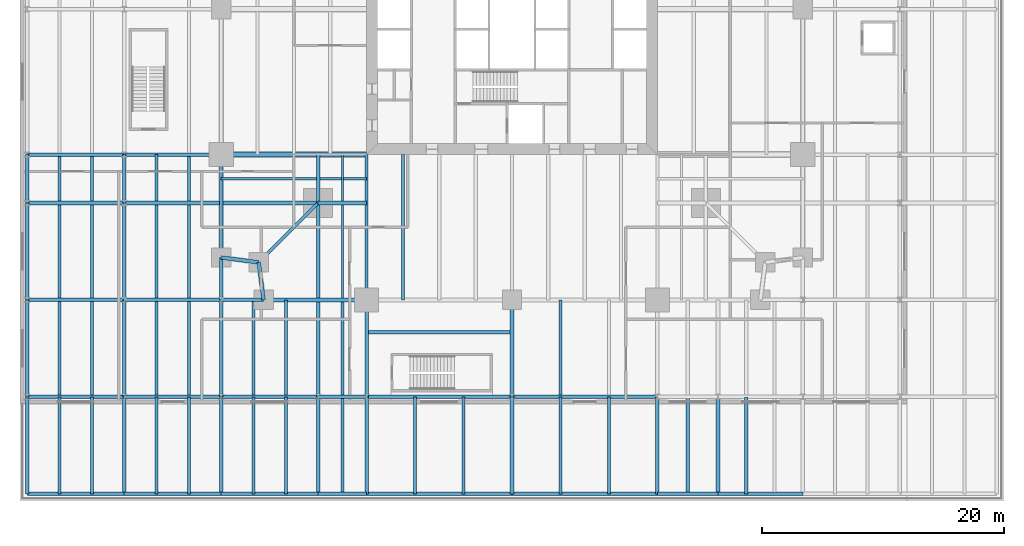
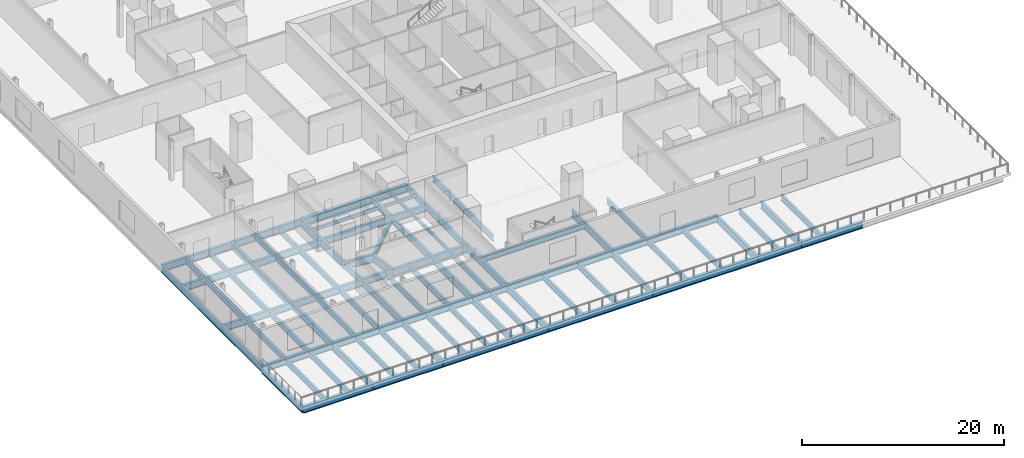
# One storey, part 5 of 18: 87 beams.
"""IFC4 building model written with IfcOpenShell, lengths in metres."""

from ifc_helpers import new_model, si_unit, direction, frame, origin, origin_2d, place, context, subcontext, project, spatial, i_section, extrude, material, material_profile, profile_set, type_object, element, save


model = new_model("IFC4")

# Units and contexts
model_context = context("Model", 3, precision=1e-05, world=origin(), true_north=direction((0.0, 1.0)))
body_context = subcontext(model_context, "Body", "Model", "MODEL_VIEW")
ifc_project = project(units=[si_unit("LENGTHUNIT", "METRE"), si_unit("AREAUNIT", "SQUARE_METRE"), si_unit("VOLUMEUNIT", "CUBIC_METRE"), si_unit("PLANEANGLEUNIT", "RADIAN"), si_unit("MASSUNIT", "GRAM", prefix="KILO")], contexts=[model_context])

# Site, building, storey
site_placement = place(None, origin())
site = spatial("IfcSite", under=ifc_project, at=site_placement, CompositionType="ELEMENT")
building_placement = place(site_placement, origin())
building = spatial("IfcBuilding", under=site, at=building_placement, Name="Fenwick Lantern Interchange", CompositionType="ELEMENT")
storey_placement = place(building_placement, frame((0.0, 0.0, 11.800048828125)))
storey = spatial("IfcBuildingStorey", under=building, at=storey_placement, Name="L02", CompositionType="ELEMENT", Elevation=11.800048828125)

# Beams
ifc_material = material(Name="Steel ASTM A992 Grade 50", Category="steel")
ifc_material_profile_1 = material_profile(ifc_material, i_section(OverallWidth=0.309814453125, OverallDepth=0.949951171875, WebThickness=0.0244140625, FlangeThickness=0.0439453125, at=origin_2d()), Name="W36X256")
ifc_profile_set_1 = profile_set([ifc_material_profile_1], Name="Steel ASTM A992 Grade 50")
beam_type_1 = type_object("IfcBeamType", Name="EDGE BEAM W36X256", PredefinedType="SPANDREL", material=ifc_profile_set_1)
for number, where, z_axis, x_axis, name in (
    (1, (4.5, 1.0, -0.675048828125), (1.0, 0.0, 0.0), (0.0, 1.0, 0.0), "L02/FR/S/EB1"),
    (2, (1.0, 13.0, -0.675048828125), (0.0, -1.0, 0.0), (1.0, 0.0, 0.0), "L02/FR/W/EB4"),
):
    element("IfcBeam", number, at=place(storey_placement, frame(where, z_axis=z_axis, x_axis=x_axis)), inside=storey, type_object=beam_type_1, Name=name, PredefinedType="SPANDREL", context=body_context, shape_type="SweptSolid", body=[
        extrude(i_section(OverallWidth=0.309814453125, OverallDepth=0.949951171875, WebThickness=0.0244140625, FlangeThickness=0.0439453125, at=origin_2d()), origin(), (0.0, 0.0, 1.0), 8.5),
    ])
for number, where, z_axis, x_axis, name in (
    (3, (1.0, 4.5, -0.675048828125), (0.991782342897, -0.127936641807, 0.0), (0.127936641807, 0.991782342897, 0.0), "L02/FR/W/EBR1"),
    (4, (4.10009765625, 4.10009765625, -0.675048828125), (0.127936641807, -0.991782342897, 0.0), (0.991782342897, 0.127936641807, 0.0), "L02/FR/W/EBR2"),
):
    element("IfcBeam", number, at=place(storey_placement, frame(where, z_axis=z_axis, x_axis=x_axis)), inside=storey, type_object=beam_type_1, Name=name, PredefinedType="SPANDREL", context=body_context, shape_type="SweptSolid", body=[
        extrude(i_section(OverallWidth=0.309814453125, OverallDepth=0.949951171875, WebThickness=0.0244140625, FlangeThickness=0.0439453125, at=origin_2d()), origin(), (0.0, 0.0, 1.0), 3.125732421875),
    ])
ifc_material_profile_2 = material_profile(ifc_material, i_section(OverallWidth=0.2666015625, OverallDepth=0.7568359375, WebThickness=0.013916015625, FlangeThickness=0.019287109375, at=origin_2d()), Name="W30X108")
ifc_profile_set_2 = profile_set([ifc_material_profile_2], Name="Steel ASTM A992 Grade 50")
beam_type_2 = type_object("IfcBeamType", Name="FLOOR BEAM W30X108", PredefinedType="BEAM", material=ifc_profile_set_2)
beam_1_placement = place(storey_placement, frame((16.0, 1.0, -0.57861328125), z_axis=(0.0, 1.0, 0.0), x_axis=(-1.0, 0.0, 0.0)))
element("IfcBeam", 5, at=beam_1_placement, inside=storey, type_object=beam_type_2, Name="L02/FR/S/R02", PredefinedType="BEAM", context=body_context, shape_type="SweptSolid", body=[
    extrude(i_section(OverallWidth=0.2666015625, OverallDepth=0.7568359375, WebThickness=0.013916015625, FlangeThickness=0.019287109375, at=origin_2d()), origin(), (0.0, 0.0, 1.0), 12.0),
])
ifc_material_profile_3 = material_profile(ifc_material, i_section(OverallWidth=0.177734375, OverallDepth=0.406494140625, WebThickness=0.0078125, FlangeThickness=0.012939453125, at=origin_2d()), Name="W16X40")
ifc_profile_set_3 = profile_set([ifc_material_profile_3], Name="Steel ASTM A992 Grade 50")
beam_type_3 = type_object("IfcBeamType", Name="INFILL BEAM W16X40", PredefinedType="JOIST", material=ifc_profile_set_3)
beam_2_placement = place(storey_placement, frame((11.0, 1.155029296875, -0.4033203125), z_axis=(0.0, 1.0, 0.0), x_axis=(-1.0, 0.0, 0.0)))
element("IfcBeam", 6, at=beam_2_placement, inside=storey, type_object=beam_type_3, Name="L02/FR/S/J1", PredefinedType="JOIST", context=body_context, shape_type="SweptSolid", body=[
    extrude(i_section(OverallWidth=0.177734375, OverallDepth=0.406494140625, WebThickness=0.0078125, FlangeThickness=0.012939453125, at=origin_2d()), origin(), (0.0, 0.0, 1.0), 7.698974609375),
])
beam_3_placement = place(storey_placement, frame((11.0, 9.14599609375, -0.4033203125), z_axis=(0.0, 1.0, 0.0), x_axis=(-1.0, 0.0, 0.0)))
element("IfcBeam", 7, at=beam_3_placement, inside=storey, type_object=beam_type_3, Name="L02/FR/S/J2", PredefinedType="JOIST", context=body_context, shape_type="SweptSolid", body=[
    extrude(i_section(OverallWidth=0.177734375, OverallDepth=0.406494140625, WebThickness=0.0078125, FlangeThickness=0.012939453125, at=origin_2d()), origin(), (0.0, 0.0, 1.0), 3.85400390625),
])
beam_4_placement = place(storey_placement, frame((1.0, 11.0, -0.4033203125), z_axis=(1.0, 0.0, 0.0), x_axis=(0.0, 1.0, 0.0)))
element("IfcBeam", 8, at=beam_4_placement, inside=storey, type_object=beam_type_3, Name="L02/FR/S/J3", PredefinedType="JOIST", context=body_context, shape_type="SweptSolid", body=[
    extrude(i_section(OverallWidth=0.177734375, OverallDepth=0.406494140625, WebThickness=0.0078125, FlangeThickness=0.012939453125, at=origin_2d()), origin(), (0.0, 0.0, 1.0), 7.85400390625),
])
beam_5_placement = place(storey_placement, frame((9.14599609375, 11.0, -0.4033203125), z_axis=(1.0, 0.0, 0.0), x_axis=(0.0, 1.0, 0.0)))
element("IfcBeam", 9, at=beam_5_placement, inside=storey, type_object=beam_type_3, Name="L02/FR/S/J4", PredefinedType="JOIST", context=body_context, shape_type="SweptSolid", body=[
    extrude(i_section(OverallWidth=0.177734375, OverallDepth=0.406494140625, WebThickness=0.0078125, FlangeThickness=0.012939453125, at=origin_2d()), origin(), (0.0, 0.0, 1.0), 1.76513671875),
])
beam_6_placement = place(storey_placement, frame((11.0888671875, 11.0, -0.4033203125), z_axis=(1.0, 0.0, 0.0), x_axis=(0.0, 1.0, 0.0)))
element("IfcBeam", 10, at=beam_6_placement, inside=storey, type_object=beam_type_3, Name="L02/FR/S/J5", PredefinedType="JOIST", context=body_context, shape_type="SweptSolid", body=[
    extrude(i_section(OverallWidth=0.177734375, OverallDepth=0.406494140625, WebThickness=0.0078125, FlangeThickness=0.012939453125, at=origin_2d()), origin(), (0.0, 0.0, 1.0), 1.9111328125),
])
ifc_material_profile_4 = material_profile(ifc_material, i_section(OverallWidth=0.2919921875, OverallDepth=0.845703125, WebThickness=0.015380859375, FlangeThickness=0.0244140625, at=origin_2d()), Name="W33X141")
ifc_profile_set_4 = profile_set([ifc_material_profile_4], Name="Steel ASTM A992 Grade 50")
beam_type_4 = type_object("IfcBeamType", Name="MEGA COLUMN BEAM W33X141", PredefinedType="BEAM", material=ifc_profile_set_4)
for number, where, z_axis, x_axis, name in (
    (11, (9.0, 9.0, -0.623046875), (0.0, -1.0, 0.0), (1.0, 0.0, 0.0), "L02/FR/S/MB1"),
    (12, (9.0, 9.0, -0.623046875), (-1.0, 0.0, 0.0), (0.0, -1.0, 0.0), "L02/FR/S/MB2"),
):
    element("IfcBeam", number, at=place(storey_placement, frame(where, z_axis=z_axis, x_axis=x_axis)), inside=storey, type_object=beam_type_4, Name=name, PredefinedType="BEAM", context=body_context, shape_type="SweptSolid", body=[
        extrude(i_section(OverallWidth=0.2919921875, OverallDepth=0.845703125, WebThickness=0.015380859375, FlangeThickness=0.0244140625, at=origin_2d()), origin(), (0.0, 0.0, 1.0), 7.844970703125),
    ])
for number, where, z_axis, x_axis, name in (
    (13, (9.0, 9.0, -0.623046875), (1.0, 0.0, 0.0), (0.0, 1.0, 0.0), "L02/FR/S/MB3"),
    (14, (9.0, 9.0, -0.623046875), (0.0, 1.0, 0.0), (-1.0, 0.0, 0.0), "L02/FR/S/MB4"),
):
    element("IfcBeam", number, at=place(storey_placement, frame(where, z_axis=z_axis, x_axis=x_axis)), inside=storey, type_object=beam_type_4, Name=name, PredefinedType="BEAM", context=body_context, shape_type="SweptSolid", body=[
        extrude(i_section(OverallWidth=0.2919921875, OverallDepth=0.845703125, WebThickness=0.015380859375, FlangeThickness=0.0244140625, at=origin_2d()), origin(), (0.0, 0.0, 1.0), 4.0),
    ])
ifc_material_profile_5 = material_profile(ifc_material, i_section(OverallWidth=0.2666015625, OverallDepth=0.76953125, WebThickness=0.015625, FlangeThickness=0.025390625, at=origin_2d()), Name="W30X132")
ifc_profile_set_5 = profile_set([ifc_material_profile_5], Name="Steel ASTM A992 Grade 50")
beam_type_5 = type_object("IfcBeamType", Name="MOMENT-CONNECTED GIRDER W30X132", PredefinedType="BEAM", material=ifc_profile_set_5)
beam_7_placement = place(storey_placement, frame((13.0, 1.0, -0.5849609375), z_axis=(0.0, 1.0, 0.0), x_axis=(-1.0, 0.0, 0.0)))
element("IfcBeam", 15, at=beam_7_placement, inside=storey, type_object=beam_type_5, Name="L02/FR/S/R01", PredefinedType="BEAM", context=body_context, shape_type="SweptSolid", body=[
    extrude(i_section(OverallWidth=0.2666015625, OverallDepth=0.76953125, WebThickness=0.015625, FlangeThickness=0.025390625, at=origin_2d()), origin(), (0.0, 0.0, 1.0), 12.0),
])
ifc_material_profile_6 = material_profile(ifc_material, i_section(OverallWidth=0.424072265625, OverallDepth=0.947509765625, WebThickness=0.02392578125, FlangeThickness=0.042724609375, at=origin_2d()), Name="W36X302")
ifc_profile_set_6 = profile_set([ifc_material_profile_6], Name="Steel ASTM A992 Grade 50")
beam_type_6 = type_object("IfcBeamType", Name="MOMENT-CONNECTED GIRDER W36X302", PredefinedType="BEAM", material=ifc_profile_set_6)
beam_8_placement = place(storey_placement, frame((1.0, 13.0, -0.673828125), z_axis=(1.0, 0.0, 0.0), x_axis=(0.0, 1.0, 0.0)))
element("IfcBeam", 16, at=beam_8_placement, inside=storey, type_object=beam_type_6, Name="L02/FR/W/R03", PredefinedType="BEAM", context=body_context, shape_type="SweptSolid", body=[
    extrude(i_section(OverallWidth=0.424072265625, OverallDepth=0.947509765625, WebThickness=0.02392578125, FlangeThickness=0.042724609375, at=origin_2d()), origin(), (0.0, 0.0, 1.0), 12.0),
])
ifc_material_profile_7 = material_profile(ifc_material, i_section(OverallWidth=0.2919921875, OverallDepth=0.845703125, WebThickness=0.015380859375, FlangeThickness=0.0244140625, at=origin_2d()), Name="W33X141")
ifc_profile_set_7 = profile_set([ifc_material_profile_7], Name="Steel ASTM A992 Grade 50")
beam_type_7 = type_object("IfcBeamType", Name="MOMENT-CONNECTED PODIUM GIRDER W33X141", PredefinedType="BEAM", material=ifc_profile_set_7)
for number, where, z_axis, x_axis, name in (
    (17, (-15.0, -15.0, -0.722900390625), (1.0, 0.0, 0.0), (0.0, 1.0, 0.0), "L02/PF/G001"),
    (18, (-7.0, -15.0, -0.722900390625), (1.0, 0.0, 0.0), (0.0, 1.0, 0.0), "L02/PF/G002"),
    (19, (1.0, -15.0, -0.722900390625), (1.0, 0.0, 0.0), (0.0, 1.0, 0.0), "L02/PF/G003"),
):
    element("IfcBeam", number, at=place(storey_placement, frame(where, z_axis=z_axis, x_axis=x_axis)), inside=storey, type_object=beam_type_7, Name=name, PredefinedType="BEAM", context=body_context, shape_type="SweptSolid", body=[
        extrude(i_section(OverallWidth=0.2919921875, OverallDepth=0.845703125, WebThickness=0.015380859375, FlangeThickness=0.0244140625, at=origin_2d()), origin(), (0.0, 0.0, 1.0), 8.0),
    ])
beam_9_placement = place(storey_placement, frame((9.0, -15.0, -0.722900390625), z_axis=(1.0, 0.0, 0.0), x_axis=(0.0, 1.0, 0.0)))
element("IfcBeam", 20, at=beam_9_placement, inside=storey, type_object=beam_type_7, Name="L02/PF/G004", PredefinedType="BEAM", context=body_context, shape_type="SweptSolid", body=[
    extrude(i_section(OverallWidth=0.2919921875, OverallDepth=0.845703125, WebThickness=0.015380859375, FlangeThickness=0.0244140625, at=origin_2d()), origin(), (0.0, 0.0, 1.0), 4.0),
])
for number, where, z_axis, x_axis, name in (
    (21, (13.0, -15.0, -0.722900390625), (1.0, 0.0, 0.0), (0.0, 1.0, 0.0), "L02/PF/G005"),
    (22, (25.0, -15.0, -0.722900390625), (1.0, 0.0, 0.0), (0.0, 1.0, 0.0), "L02/PF/G006"),
):
    element("IfcBeam", number, at=place(storey_placement, frame(where, z_axis=z_axis, x_axis=x_axis)), inside=storey, type_object=beam_type_7, Name=name, PredefinedType="BEAM", context=body_context, shape_type="SweptSolid", body=[
        extrude(i_section(OverallWidth=0.2919921875, OverallDepth=0.845703125, WebThickness=0.015380859375, FlangeThickness=0.0244140625, at=origin_2d()), origin(), (0.0, 0.0, 1.0), 12.0),
    ])
beam_10_placement = place(storey_placement, frame((37.0, -15.0, -0.722900390625), z_axis=(1.0, 0.0, 0.0), x_axis=(0.0, 1.0, 0.0)))
element("IfcBeam", 23, at=beam_10_placement, inside=storey, type_object=beam_type_7, Name="L02/PF/G007", PredefinedType="BEAM", context=body_context, shape_type="SweptSolid", body=[
    extrude(i_section(OverallWidth=0.2919921875, OverallDepth=0.845703125, WebThickness=0.015380859375, FlangeThickness=0.0244140625, at=origin_2d()), origin(), (0.0, 0.0, 1.0), 5.0),
])
beam_11_placement = place(storey_placement, frame((42.0, -15.0, -0.722900390625), z_axis=(1.0, 0.0, 0.0), x_axis=(0.0, 1.0, 0.0)))
element("IfcBeam", 24, at=beam_11_placement, inside=storey, type_object=beam_type_7, Name="L02/PF/G008", PredefinedType="BEAM", context=body_context, shape_type="SweptSolid", body=[
    extrude(i_section(OverallWidth=0.2919921875, OverallDepth=0.845703125, WebThickness=0.015380859375, FlangeThickness=0.0244140625, at=origin_2d()), origin(), (0.0, 0.0, 1.0), 7.0),
])
for number, where, z_axis, x_axis, name in (
    (25, (-15.0, -7.0, -0.623046875), (1.0, 0.0, 0.0), (0.0, 1.0, 0.0), "L02/PF/G011"),
    (26, (-7.0, -7.0, -0.623046875), (1.0, 0.0, 0.0), (0.0, 1.0, 0.0), "L02/PF/G012"),
    (27, (1.0, -7.0, -0.623046875), (1.0, 0.0, 0.0), (0.0, 1.0, 0.0), "L02/PF/G013"),
):
    element("IfcBeam", number, at=place(storey_placement, frame(where, z_axis=z_axis, x_axis=x_axis)), inside=storey, type_object=beam_type_7, Name=name, PredefinedType="BEAM", context=body_context, shape_type="SweptSolid", body=[
        extrude(i_section(OverallWidth=0.2919921875, OverallDepth=0.845703125, WebThickness=0.015380859375, FlangeThickness=0.0244140625, at=origin_2d()), origin(), (0.0, 0.0, 1.0), 8.0),
    ])
beam_12_placement = place(storey_placement, frame((9.0, -7.0, -0.623046875), z_axis=(1.0, 0.0, 0.0), x_axis=(0.0, 1.0, 0.0)))
element("IfcBeam", 28, at=beam_12_placement, inside=storey, type_object=beam_type_7, Name="L02/PF/G014", PredefinedType="BEAM", context=body_context, shape_type="SweptSolid", body=[
    extrude(i_section(OverallWidth=0.2919921875, OverallDepth=0.845703125, WebThickness=0.015380859375, FlangeThickness=0.0244140625, at=origin_2d()), origin(), (0.0, 0.0, 1.0), 4.0),
])
for number, where, z_axis, x_axis, name in (
    (29, (13.0, -7.0, -0.623046875), (1.0, 0.0, 0.0), (0.0, 1.0, 0.0), "L02/PF/G015"),
    (30, (25.0, -7.0, -0.623046875), (1.0, 0.0, 0.0), (0.0, 1.0, 0.0), "L02/PF/G016"),
):
    element("IfcBeam", number, at=place(storey_placement, frame(where, z_axis=z_axis, x_axis=x_axis)), inside=storey, type_object=beam_type_7, Name=name, PredefinedType="BEAM", context=body_context, shape_type="SweptSolid", body=[
        extrude(i_section(OverallWidth=0.2919921875, OverallDepth=0.845703125, WebThickness=0.015380859375, FlangeThickness=0.0244140625, at=origin_2d()), origin(), (0.0, 0.0, 1.0), 12.0),
    ])
for number, where, z_axis, x_axis, name in (
    (31, (-15.0, 1.0, -0.623046875), (1.0, 0.0, 0.0), (0.0, 1.0, 0.0), "L02/PF/G021"),
    (32, (-7.0, 1.0, -0.623046875), (1.0, 0.0, 0.0), (0.0, 1.0, 0.0), "L02/PF/G022"),
):
    element("IfcBeam", number, at=place(storey_placement, frame(where, z_axis=z_axis, x_axis=x_axis)), inside=storey, type_object=beam_type_7, Name=name, PredefinedType="BEAM", context=body_context, shape_type="SweptSolid", body=[
        extrude(i_section(OverallWidth=0.2919921875, OverallDepth=0.845703125, WebThickness=0.015380859375, FlangeThickness=0.0244140625, at=origin_2d()), origin(), (0.0, 0.0, 1.0), 8.0),
    ])
beam_13_placement = place(storey_placement, frame((1.0, 1.0, -0.623046875), z_axis=(1.0, 0.0, 0.0), x_axis=(0.0, 1.0, 0.0)))
element("IfcBeam", 33, at=beam_13_placement, inside=storey, type_object=beam_type_7, Name="L02/PF/G023", PredefinedType="BEAM", context=body_context, shape_type="SweptSolid", body=[
    extrude(i_section(OverallWidth=0.2919921875, OverallDepth=0.845703125, WebThickness=0.015380859375, FlangeThickness=0.0244140625, at=origin_2d()), origin(), (0.0, 0.0, 1.0), 3.5),
])
beam_14_placement = place(storey_placement, frame((-15.0, 9.0, -0.623046875), z_axis=(1.0, 0.0, 0.0), x_axis=(0.0, 1.0, 0.0)))
element("IfcBeam", 34, at=beam_14_placement, inside=storey, type_object=beam_type_7, Name="L02/PF/G027", PredefinedType="BEAM", context=body_context, shape_type="SweptSolid", body=[
    extrude(i_section(OverallWidth=0.2919921875, OverallDepth=0.845703125, WebThickness=0.015380859375, FlangeThickness=0.0244140625, at=origin_2d()), origin(), (0.0, 0.0, 1.0), 8.0),
])
beam_15_placement = place(storey_placement, frame((-7.0, 9.0, -0.623046875), z_axis=(1.0, 0.0, 0.0), x_axis=(0.0, 1.0, 0.0)))
element("IfcBeam", 35, at=beam_15_placement, inside=storey, type_object=beam_type_7, Name="L02/PF/G028", PredefinedType="BEAM", context=body_context, shape_type="SweptSolid", body=[
    extrude(i_section(OverallWidth=0.2919921875, OverallDepth=0.845703125, WebThickness=0.015380859375, FlangeThickness=0.0244140625, at=origin_2d()), origin(), (0.0, 0.0, 1.0), 7.844970703125),
])
for number, where, z_axis, x_axis, name in (
    (36, (-15.0, 13.0, -0.623046875), (1.0, 0.0, 0.0), (0.0, 1.0, 0.0), "L02/PF/G031"),
    (37, (-7.0, 13.0, -0.623046875), (1.0, 0.0, 0.0), (0.0, 1.0, 0.0), "L02/PF/G032"),
    (38, (-15.0, -15.0, -0.722900390625), (0.0, 1.0, 0.0), (-1.0, 0.0, 0.0), "L02/PF/G073"),
    (39, (-15.0, -7.0, -0.623046875), (0.0, 1.0, 0.0), (-1.0, 0.0, 0.0), "L02/PF/G074"),
    (40, (-15.0, 1.0, -0.623046875), (0.0, 1.0, 0.0), (-1.0, 0.0, 0.0), "L02/PF/G075"),
):
    element("IfcBeam", number, at=place(storey_placement, frame(where, z_axis=z_axis, x_axis=x_axis)), inside=storey, type_object=beam_type_7, Name=name, PredefinedType="BEAM", context=body_context, shape_type="SweptSolid", body=[
        extrude(i_section(OverallWidth=0.2919921875, OverallDepth=0.845703125, WebThickness=0.015380859375, FlangeThickness=0.0244140625, at=origin_2d()), origin(), (0.0, 0.0, 1.0), 8.0),
    ])
beam_16_placement = place(storey_placement, frame((-15.0, 9.0, -0.623046875), z_axis=(0.0, 1.0, 0.0), x_axis=(-1.0, 0.0, 0.0)))
element("IfcBeam", 41, at=beam_16_placement, inside=storey, type_object=beam_type_7, Name="L02/PF/G076", PredefinedType="BEAM", context=body_context, shape_type="SweptSolid", body=[
    extrude(i_section(OverallWidth=0.2919921875, OverallDepth=0.845703125, WebThickness=0.015380859375, FlangeThickness=0.0244140625, at=origin_2d()), origin(), (0.0, 0.0, 1.0), 4.0),
])
for number, where, z_axis, x_axis, name in (
    (42, (-7.0, -15.0, -0.722900390625), (0.0, 1.0, 0.0), (-1.0, 0.0, 0.0), "L02/PF/G083"),
    (43, (-7.0, -7.0, -0.623046875), (0.0, 1.0, 0.0), (-1.0, 0.0, 0.0), "L02/PF/G084"),
    (44, (-7.0, 1.0, -0.623046875), (0.0, 1.0, 0.0), (-1.0, 0.0, 0.0), "L02/PF/G085"),
):
    element("IfcBeam", number, at=place(storey_placement, frame(where, z_axis=z_axis, x_axis=x_axis)), inside=storey, type_object=beam_type_7, Name=name, PredefinedType="BEAM", context=body_context, shape_type="SweptSolid", body=[
        extrude(i_section(OverallWidth=0.2919921875, OverallDepth=0.845703125, WebThickness=0.015380859375, FlangeThickness=0.0244140625, at=origin_2d()), origin(), (0.0, 0.0, 1.0), 8.0),
    ])
beam_17_placement = place(storey_placement, frame((-7.0, 9.0, -0.623046875), z_axis=(0.0, 1.0, 0.0), x_axis=(-1.0, 0.0, 0.0)))
element("IfcBeam", 45, at=beam_17_placement, inside=storey, type_object=beam_type_7, Name="L02/PF/G086", PredefinedType="BEAM", context=body_context, shape_type="SweptSolid", body=[
    extrude(i_section(OverallWidth=0.2919921875, OverallDepth=0.845703125, WebThickness=0.015380859375, FlangeThickness=0.0244140625, at=origin_2d()), origin(), (0.0, 0.0, 1.0), 4.0),
])
for number, where, z_axis, x_axis, name in (
    (46, (1.0, -15.0, -0.722900390625), (0.0, 1.0, 0.0), (-1.0, 0.0, 0.0), "L02/PF/G093"),
    (47, (1.0, -7.0, -0.623046875), (0.0, 1.0, 0.0), (-1.0, 0.0, 0.0), "L02/PF/G094"),
):
    element("IfcBeam", number, at=place(storey_placement, frame(where, z_axis=z_axis, x_axis=x_axis)), inside=storey, type_object=beam_type_7, Name=name, PredefinedType="BEAM", context=body_context, shape_type="SweptSolid", body=[
        extrude(i_section(OverallWidth=0.2919921875, OverallDepth=0.845703125, WebThickness=0.015380859375, FlangeThickness=0.0244140625, at=origin_2d()), origin(), (0.0, 0.0, 1.0), 8.0),
    ])
beam_18_placement = place(storey_placement, frame((1.0, 1.0, -0.623046875), z_axis=(0.0, 1.0, 0.0), x_axis=(-1.0, 0.0, 0.0)))
element("IfcBeam", 48, at=beam_18_placement, inside=storey, type_object=beam_type_7, Name="L02/PF/G095", PredefinedType="BEAM", context=body_context, shape_type="SweptSolid", body=[
    extrude(i_section(OverallWidth=0.2919921875, OverallDepth=0.845703125, WebThickness=0.015380859375, FlangeThickness=0.0244140625, at=origin_2d()), origin(), (0.0, 0.0, 1.0), 3.5),
])
beam_19_placement = place(storey_placement, frame((9.0, -15.0, -0.722900390625), z_axis=(0.0, 1.0, 0.0), x_axis=(-1.0, 0.0, 0.0)))
element("IfcBeam", 49, at=beam_19_placement, inside=storey, type_object=beam_type_7, Name="L02/PF/G099", PredefinedType="BEAM", context=body_context, shape_type="SweptSolid", body=[
    extrude(i_section(OverallWidth=0.2919921875, OverallDepth=0.845703125, WebThickness=0.015380859375, FlangeThickness=0.0244140625, at=origin_2d()), origin(), (0.0, 0.0, 1.0), 8.0),
])
beam_20_placement = place(storey_placement, frame((9.0, -7.0, -0.623046875), z_axis=(0.0, 1.0, 0.0), x_axis=(-1.0, 0.0, 0.0)))
element("IfcBeam", 50, at=beam_20_placement, inside=storey, type_object=beam_type_7, Name="L02/PF/G100", PredefinedType="BEAM", context=body_context, shape_type="SweptSolid", body=[
    extrude(i_section(OverallWidth=0.2919921875, OverallDepth=0.845703125, WebThickness=0.015380859375, FlangeThickness=0.0244140625, at=origin_2d()), origin(), (0.0, 0.0, 1.0), 7.844970703125),
])
for number, where, z_axis, x_axis, name in (
    (51, (13.0, -15.0, -0.722900390625), (0.0, 1.0, 0.0), (-1.0, 0.0, 0.0), "L02/PF/G103"),
    (52, (13.0, -7.0, -0.623046875), (0.0, 1.0, 0.0), (-1.0, 0.0, 0.0), "L02/PF/G104"),
    (53, (25.0, -15.0, -0.722900390625), (0.0, 1.0, 0.0), (-1.0, 0.0, 0.0), "L02/PF/G107"),
    (54, (25.0, -7.0, -0.623046875), (0.0, 1.0, 0.0), (-1.0, 0.0, 0.0), "L02/PF/G108"),
    (55, (37.0, -15.0, -0.722900390625), (0.0, 1.0, 0.0), (-1.0, 0.0, 0.0), "L02/PF/G111"),
    (56, (42.0, -15.0, -0.722900390625), (0.0, 1.0, 0.0), (-1.0, 0.0, 0.0), "L02/PF/G115"),
):
    element("IfcBeam", number, at=place(storey_placement, frame(where, z_axis=z_axis, x_axis=x_axis)), inside=storey, type_object=beam_type_7, Name=name, PredefinedType="BEAM", context=body_context, shape_type="SweptSolid", body=[
        extrude(i_section(OverallWidth=0.2919921875, OverallDepth=0.845703125, WebThickness=0.015380859375, FlangeThickness=0.0244140625, at=origin_2d()), origin(), (0.0, 0.0, 1.0), 8.0),
    ])
ifc_material_profile_8 = material_profile(ifc_material, i_section(OverallWidth=0.2666015625, OverallDepth=0.7568359375, WebThickness=0.013916015625, FlangeThickness=0.019287109375, at=origin_2d()), Name="W30X108")
ifc_profile_set_8 = profile_set([ifc_material_profile_8], Name="Steel ASTM A992 Grade 50")
beam_type_8 = type_object("IfcBeamType", Name="NOTCH BEAM W30X108", PredefinedType="BEAM", material=ifc_profile_set_8)
beam_21_placement = place(storey_placement, frame((9.0, 9.0, -0.57861328125), z_axis=(-0.707106781187, -0.707106781187, 0.0), x_axis=(0.707106781187, -0.707106781187, 0.0)))
element("IfcBeam", 57, at=beam_21_placement, inside=storey, type_object=beam_type_8, Name="L02/FR/S/TG", PredefinedType="BEAM", context=body_context, shape_type="SweptSolid", body=[
    extrude(i_section(OverallWidth=0.2666015625, OverallDepth=0.7568359375, WebThickness=0.013916015625, FlangeThickness=0.019287109375, at=origin_2d()), origin(), (0.0, 0.0, 1.0), 6.929443359375),
])
ifc_material_profile_9 = material_profile(ifc_material, i_section(OverallWidth=0.25390625, OverallDepth=0.683349609375, WebThickness=0.012451171875, FlangeThickness=0.01904296875, at=origin_2d()), Name="W27X94")
ifc_profile_set_9 = profile_set([ifc_material_profile_9], Name="Steel ASTM A992 Grade 50")
beam_type_9 = type_object("IfcBeamType", Name="PODIUM BEAM W27X94", PredefinedType="JOIST", material=ifc_profile_set_9)
for number, where, z_axis, x_axis, name in (
    (58, (-12.333251953125, -15.0, -0.6416015625), (0.0, 1.0, 0.0), (-1.0, 0.0, 0.0), "L02/PF/J145"),
    (59, (-9.666748046875, -15.0, -0.6416015625), (0.0, 1.0, 0.0), (-1.0, 0.0, 0.0), "L02/PF/J146"),
):
    element("IfcBeam", number, at=place(storey_placement, frame(where, z_axis=z_axis, x_axis=x_axis)), inside=storey, type_object=beam_type_9, Name=name, PredefinedType="JOIST", context=body_context, shape_type="SweptSolid", body=[
        extrude(i_section(OverallWidth=0.25390625, OverallDepth=0.683349609375, WebThickness=0.012451171875, FlangeThickness=0.01904296875, at=origin_2d()), origin(), (0.0, 0.0, 1.0), 7.992431640625),
    ])
for number, where, z_axis, x_axis, name in (
    (60, (-12.333251953125, -6.85400390625, -0.541748046875), (0.0, 1.0, 0.0), (-1.0, 0.0, 0.0), "L02/PF/J147"),
    (61, (-9.666748046875, -6.85400390625, -0.541748046875), (0.0, 1.0, 0.0), (-1.0, 0.0, 0.0), "L02/PF/J148"),
    (62, (-12.333251953125, 1.14599609375, -0.541748046875), (0.0, 1.0, 0.0), (-1.0, 0.0, 0.0), "L02/PF/J149"),
    (63, (-9.666748046875, 1.14599609375, -0.541748046875), (0.0, 1.0, 0.0), (-1.0, 0.0, 0.0), "L02/PF/J150"),
):
    element("IfcBeam", number, at=place(storey_placement, frame(where, z_axis=z_axis, x_axis=x_axis)), inside=storey, type_object=beam_type_9, Name=name, PredefinedType="JOIST", context=body_context, shape_type="SweptSolid", body=[
        extrude(i_section(OverallWidth=0.25390625, OverallDepth=0.683349609375, WebThickness=0.012451171875, FlangeThickness=0.01904296875, at=origin_2d()), origin(), (0.0, 0.0, 1.0), 7.7080078125),
    ])
for number, where, z_axis, x_axis, name in (
    (64, (-12.333251953125, 9.14599609375, -0.541748046875), (0.0, 1.0, 0.0), (-1.0, 0.0, 0.0), "L02/PF/J151"),
    (65, (-9.666748046875, 9.14599609375, -0.541748046875), (0.0, 1.0, 0.0), (-1.0, 0.0, 0.0), "L02/PF/J152"),
):
    element("IfcBeam", number, at=place(storey_placement, frame(where, z_axis=z_axis, x_axis=x_axis)), inside=storey, type_object=beam_type_9, Name=name, PredefinedType="JOIST", context=body_context, shape_type="SweptSolid", body=[
        extrude(i_section(OverallWidth=0.25390625, OverallDepth=0.683349609375, WebThickness=0.012451171875, FlangeThickness=0.01904296875, at=origin_2d()), origin(), (0.0, 0.0, 1.0), 3.7080078125),
    ])
for number, where, z_axis, x_axis, name in (
    (66, (-4.333251953125, -15.0, -0.6416015625), (0.0, 1.0, 0.0), (-1.0, 0.0, 0.0), "L02/PF/J165"),
    (67, (-1.666748046875, -15.0, -0.6416015625), (0.0, 1.0, 0.0), (-1.0, 0.0, 0.0), "L02/PF/J166"),
):
    element("IfcBeam", number, at=place(storey_placement, frame(where, z_axis=z_axis, x_axis=x_axis)), inside=storey, type_object=beam_type_9, Name=name, PredefinedType="JOIST", context=body_context, shape_type="SweptSolid", body=[
        extrude(i_section(OverallWidth=0.25390625, OverallDepth=0.683349609375, WebThickness=0.012451171875, FlangeThickness=0.01904296875, at=origin_2d()), origin(), (0.0, 0.0, 1.0), 7.992431640625),
    ])
for number, where, z_axis, x_axis, name in (
    (68, (-4.333251953125, -6.85400390625, -0.541748046875), (0.0, 1.0, 0.0), (-1.0, 0.0, 0.0), "L02/PF/J167"),
    (69, (-1.666748046875, -6.85400390625, -0.541748046875), (0.0, 1.0, 0.0), (-1.0, 0.0, 0.0), "L02/PF/J168"),
    (70, (-4.333251953125, 1.14599609375, -0.541748046875), (0.0, 1.0, 0.0), (-1.0, 0.0, 0.0), "L02/PF/J169"),
    (71, (-1.666748046875, 1.14599609375, -0.541748046875), (0.0, 1.0, 0.0), (-1.0, 0.0, 0.0), "L02/PF/J170"),
):
    element("IfcBeam", number, at=place(storey_placement, frame(where, z_axis=z_axis, x_axis=x_axis)), inside=storey, type_object=beam_type_9, Name=name, PredefinedType="JOIST", context=body_context, shape_type="SweptSolid", body=[
        extrude(i_section(OverallWidth=0.25390625, OverallDepth=0.683349609375, WebThickness=0.012451171875, FlangeThickness=0.01904296875, at=origin_2d()), origin(), (0.0, 0.0, 1.0), 7.7080078125),
    ])
beam_22_placement = place(storey_placement, frame((-4.333251953125, 9.14599609375, -0.541748046875), z_axis=(0.0, 1.0, 0.0), x_axis=(-1.0, 0.0, 0.0)))
element("IfcBeam", 72, at=beam_22_placement, inside=storey, type_object=beam_type_9, Name="L02/PF/J171", PredefinedType="JOIST", context=body_context, shape_type="SweptSolid", body=[
    extrude(i_section(OverallWidth=0.25390625, OverallDepth=0.683349609375, WebThickness=0.012451171875, FlangeThickness=0.01904296875, at=origin_2d()), origin(), (0.0, 0.0, 1.0), 3.85400390625),
])
beam_23_placement = place(storey_placement, frame((-1.666748046875, 9.14599609375, -0.541748046875), z_axis=(0.0, 1.0, 0.0), x_axis=(-1.0, 0.0, 0.0)))
element("IfcBeam", 73, at=beam_23_placement, inside=storey, type_object=beam_type_9, Name="L02/PF/J172", PredefinedType="JOIST", context=body_context, shape_type="SweptSolid", body=[
    extrude(i_section(OverallWidth=0.25390625, OverallDepth=0.683349609375, WebThickness=0.012451171875, FlangeThickness=0.01904296875, at=origin_2d()), origin(), (0.0, 0.0, 1.0), 3.7080078125),
])
for number, where, z_axis, x_axis, name in (
    (74, (3.666748046875, -15.0, -0.6416015625), (0.0, 1.0, 0.0), (-1.0, 0.0, 0.0), "L02/PF/J183"),
    (75, (6.333251953125, -15.0, -0.6416015625), (0.0, 1.0, 0.0), (-1.0, 0.0, 0.0), "L02/PF/J184"),
):
    element("IfcBeam", number, at=place(storey_placement, frame(where, z_axis=z_axis, x_axis=x_axis)), inside=storey, type_object=beam_type_9, Name=name, PredefinedType="JOIST", context=body_context, shape_type="SweptSolid", body=[
        extrude(i_section(OverallWidth=0.25390625, OverallDepth=0.683349609375, WebThickness=0.012451171875, FlangeThickness=0.01904296875, at=origin_2d()), origin(), (0.0, 0.0, 1.0), 7.992431640625),
    ])
for number, where, z_axis, x_axis, name in (
    (76, (3.666748046875, -6.85400390625, -0.541748046875), (0.0, 1.0, 0.0), (-1.0, 0.0, 0.0), "L02/PF/J185"),
    (77, (6.333251953125, -6.85400390625, -0.541748046875), (0.0, 1.0, 0.0), (-1.0, 0.0, 0.0), "L02/PF/J186"),
):
    element("IfcBeam", number, at=place(storey_placement, frame(where, z_axis=z_axis, x_axis=x_axis)), inside=storey, type_object=beam_type_9, Name=name, PredefinedType="JOIST", context=body_context, shape_type="SweptSolid", body=[
        extrude(i_section(OverallWidth=0.25390625, OverallDepth=0.683349609375, WebThickness=0.012451171875, FlangeThickness=0.01904296875, at=origin_2d()), origin(), (0.0, 0.0, 1.0), 7.85400390625),
    ])
beam_24_placement = place(storey_placement, frame((11.0, -15.0, -0.6416015625), z_axis=(0.0, 1.0, 0.0), x_axis=(-1.0, 0.0, 0.0)))
element("IfcBeam", 78, at=beam_24_placement, inside=storey, type_object=beam_type_9, Name="L02/PF/J191", PredefinedType="JOIST", context=body_context, shape_type="SweptSolid", body=[
    extrude(i_section(OverallWidth=0.25390625, OverallDepth=0.683349609375, WebThickness=0.012451171875, FlangeThickness=0.01904296875, at=origin_2d()), origin(), (0.0, 0.0, 1.0), 7.992431640625),
])
beam_25_placement = place(storey_placement, frame((11.0, -6.85400390625, -0.541748046875), z_axis=(0.0, 1.0, 0.0), x_axis=(-1.0, 0.0, 0.0)))
element("IfcBeam", 79, at=beam_25_placement, inside=storey, type_object=beam_type_9, Name="L02/PF/J192", PredefinedType="JOIST", context=body_context, shape_type="SweptSolid", body=[
    extrude(i_section(OverallWidth=0.25390625, OverallDepth=0.683349609375, WebThickness=0.012451171875, FlangeThickness=0.01904296875, at=origin_2d()), origin(), (0.0, 0.0, 1.0), 7.698974609375),
])
for number, where, z_axis, x_axis, name in (
    (80, (17.0, -15.0, -0.6416015625), (0.0, 1.0, 0.0), (-1.0, 0.0, 0.0), "L02/PF/J195"),
    (81, (21.0, -15.0, -0.6416015625), (0.0, 1.0, 0.0), (-1.0, 0.0, 0.0), "L02/PF/J196"),
):
    element("IfcBeam", number, at=place(storey_placement, frame(where, z_axis=z_axis, x_axis=x_axis)), inside=storey, type_object=beam_type_9, Name=name, PredefinedType="JOIST", context=body_context, shape_type="SweptSolid", body=[
        extrude(i_section(OverallWidth=0.25390625, OverallDepth=0.683349609375, WebThickness=0.012451171875, FlangeThickness=0.01904296875, at=origin_2d()), origin(), (0.0, 0.0, 1.0), 8.0),
    ])
beam_26_placement = place(storey_placement, frame((13.0, -1.666748046875, -0.541748046875), z_axis=(1.0, 0.0, 0.0), x_axis=(0.0, 1.0, 0.0)))
element("IfcBeam", 82, at=beam_26_placement, inside=storey, type_object=beam_type_9, Name="L02/PF/J197", PredefinedType="JOIST", context=body_context, shape_type="SweptSolid", body=[
    extrude(i_section(OverallWidth=0.25390625, OverallDepth=0.683349609375, WebThickness=0.012451171875, FlangeThickness=0.01904296875, at=origin_2d()), origin(), (0.0, 0.0, 1.0), 12.0),
])
for number, where, z_axis, x_axis, name in (
    (83, (29.0, -15.0, -0.6416015625), (0.0, 1.0, 0.0), (-1.0, 0.0, 0.0), "L02/PF/J201"),
    (84, (33.0, -15.0, -0.6416015625), (0.0, 1.0, 0.0), (-1.0, 0.0, 0.0), "L02/PF/J202"),
):
    element("IfcBeam", number, at=place(storey_placement, frame(where, z_axis=z_axis, x_axis=x_axis)), inside=storey, type_object=beam_type_9, Name=name, PredefinedType="JOIST", context=body_context, shape_type="SweptSolid", body=[
        extrude(i_section(OverallWidth=0.25390625, OverallDepth=0.683349609375, WebThickness=0.012451171875, FlangeThickness=0.01904296875, at=origin_2d()), origin(), (0.0, 0.0, 1.0), 7.992431640625),
    ])
beam_27_placement = place(storey_placement, frame((29.0, -6.85400390625, -0.541748046875), z_axis=(0.0, 1.0, 0.0), x_axis=(-1.0, 0.0, 0.0)))
element("IfcBeam", 85, at=beam_27_placement, inside=storey, type_object=beam_type_9, Name="L02/PF/J203", PredefinedType="JOIST", context=body_context, shape_type="SweptSolid", body=[
    extrude(i_section(OverallWidth=0.25390625, OverallDepth=0.683349609375, WebThickness=0.012451171875, FlangeThickness=0.01904296875, at=origin_2d()), origin(), (0.0, 0.0, 1.0), 7.85400390625),
])
for number, where, z_axis, x_axis, name in (
    (86, (39.5, -15.0, -0.6416015625), (0.0, 1.0, 0.0), (-1.0, 0.0, 0.0), "L02/PF/J209"),
    (87, (44.333251953125, -15.0, -0.6416015625), (0.0, 1.0, 0.0), (-1.0, 0.0, 0.0), "L02/PF/J213"),
):
    element("IfcBeam", number, at=place(storey_placement, frame(where, z_axis=z_axis, x_axis=x_axis)), inside=storey, type_object=beam_type_9, Name=name, PredefinedType="JOIST", context=body_context, shape_type="SweptSolid", body=[
        extrude(i_section(OverallWidth=0.25390625, OverallDepth=0.683349609375, WebThickness=0.012451171875, FlangeThickness=0.01904296875, at=origin_2d()), origin(), (0.0, 0.0, 1.0), 7.992431640625),
    ])

save(model, "model.ifc")
